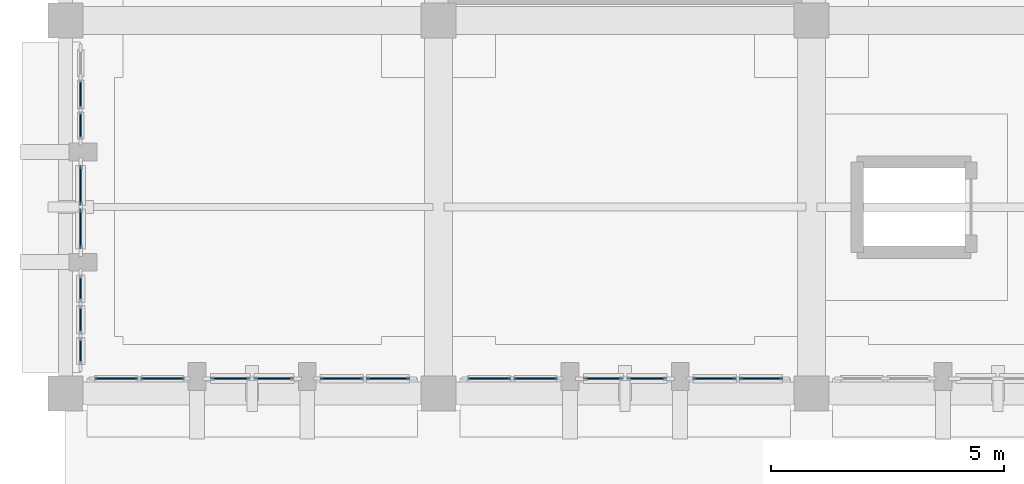
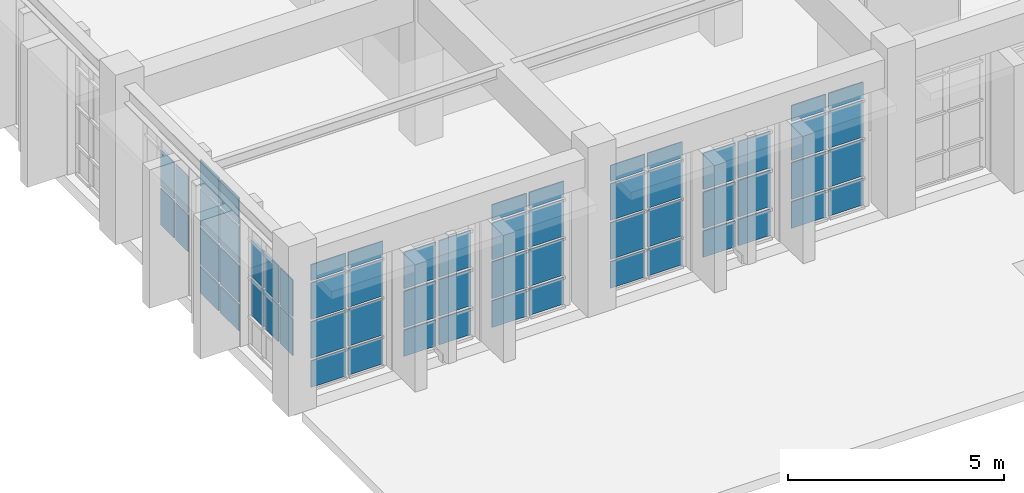
# One storey, part 84 of 155: 62 plates, 9 elements without a shape of their own.
"""IFC4 building model written with IfcOpenShell, lengths in metres."""

from ifc_helpers import new_model, si_unit, direction, frame, origin, origin_2d, place, context, subcontext, project, spatial, rectangle, extrude, material, layer, layer_set, type_object, element, aggregate, save


model = new_model("IFC4")

# Units and contexts
model_context = context("Model", 3, precision=1e-05, world=origin(), true_north=direction((0.0, 1.0)))
body_context = subcontext(model_context, "Body", "Model", "MODEL_VIEW")
ifc_project = project(units=[si_unit("LENGTHUNIT", "METRE"), si_unit("AREAUNIT", "SQUARE_METRE"), si_unit("VOLUMEUNIT", "CUBIC_METRE"), si_unit("PLANEANGLEUNIT", "RADIAN"), si_unit("MASSUNIT", "GRAM", prefix="KILO")], contexts=[model_context])

# Site, building, storey
site_placement = place(None, origin())
site = spatial("IfcSite", under=ifc_project, at=site_placement, CompositionType="ELEMENT")
building_placement = place(site_placement, origin())
building = spatial("IfcBuilding", under=site, at=building_placement, Name="Tazarka Park Arena", CompositionType="ELEMENT")
storey_placement = place(building_placement, frame((0.0, 0.0, 5.39990234375)))
storey = spatial("IfcBuildingStorey", under=building, at=storey_placement, Name="L01", CompositionType="ELEMENT", Elevation=5.39990234375)

# Curtain wall, plates
ifc_material_1 = material(Name="Aluminium and low-e glass", Category="aluminium")
ifc_layer_1 = layer(ifc_material_1, 0.179931640625, Name="Aluminium and low-e glass")
ifc_layer_set_1 = layer_set([ifc_layer_1], Name="Aluminium and low-e glass")
curtain_wall_type_1 = type_object("IfcCurtainWallType", Name="CW-09", PredefinedType="NOTDEFINED", material=ifc_layer_set_1)
curtain_wall_1_placement = place(storey_placement, origin())
curtain_wall_1 = element("IfcCurtainWall", 1, at=curtain_wall_1_placement, inside=storey, type_object=curtain_wall_type_1, Name="Curtain Wall CWA-L01-069", PredefinedType="NOTDEFINED")
ifc_material_2 = material(Name="Double low-e insulated glazing", Category="glass")
ifc_layer_2 = layer(ifc_material_2, 0.028076171875, Name="Double low-e insulated glazing")
ifc_layer_set_2 = layer_set([ifc_layer_2], Name="Double low-e insulated glazing")
plate_type_1 = type_object("IfcPlateType", Name="CWP-01", PredefinedType="CURTAIN_PANEL", material=ifc_layer_set_2)
plate_1_placement = place(storey_placement, frame((0.320068359375, 13.750244140625, 0.8828125), z_axis=(0.0, 0.0, 1.0), x_axis=(0.0, 1.0, 0.0)))
plate_1 = element("IfcPlate", 2, at=plate_1_placement, type_object=plate_type_1, Name="CW-09 panel 1.2", PredefinedType="CURTAIN_PANEL", context=body_context, shape_type="SweptSolid", body=[
    extrude(rectangle(XDim=0.5869140625, YDim=0.028076171875, at=origin_2d()), origin(), (0.0, 0.0, 1.0), 1.034912109375),
])
plate_2_placement = place(storey_placement, frame((0.320068359375, 13.750244140625, 1.982421875), z_axis=(0.0, 0.0, 1.0), x_axis=(0.0, 1.0, 0.0)))
plate_2 = element("IfcPlate", 3, at=plate_2_placement, type_object=plate_type_1, Name="CW-09 panel 1.3", PredefinedType="CURTAIN_PANEL", context=body_context, shape_type="SweptSolid", body=[
    extrude(rectangle(XDim=0.5869140625, YDim=0.028076171875, at=origin_2d()), origin(), (0.0, 0.0, 1.0), 1.034912109375),
])
plate_3_placement = place(storey_placement, frame((0.320068359375, 14.41845703125, 0.8828125), z_axis=(0.0, 0.0, 1.0), x_axis=(0.0, 1.0, 0.0)))
plate_3 = element("IfcPlate", 4, at=plate_3_placement, type_object=plate_type_1, Name="CW-09 panel 2.2", PredefinedType="CURTAIN_PANEL", context=body_context, shape_type="SweptSolid", body=[
    extrude(rectangle(XDim=0.619384765625, YDim=0.028076171875, at=origin_2d()), origin(), (0.0, 0.0, 1.0), 1.034912109375),
])
plate_4_placement = place(storey_placement, frame((0.320068359375, 14.41845703125, 1.982421875), z_axis=(0.0, 0.0, 1.0), x_axis=(0.0, 1.0, 0.0)))
plate_4 = element("IfcPlate", 5, at=plate_4_placement, type_object=plate_type_1, Name="CW-09 panel 2.3", PredefinedType="CURTAIN_PANEL", context=body_context, shape_type="SweptSolid", body=[
    extrude(rectangle(XDim=0.619384765625, YDim=0.028076171875, at=origin_2d()), origin(), (0.0, 0.0, 1.0), 1.034912109375),
])
aggregate(curtain_wall_1, [plate_1, plate_2, plate_3, plate_4])

ifc_material_3 = material(Name="Aluminium and low-e glass", Category="aluminium")
ifc_layer_3 = layer(ifc_material_3, 0.179931640625, Name="Aluminium and low-e glass")
ifc_layer_set_3 = layer_set([ifc_layer_3], Name="Aluminium and low-e glass")
curtain_wall_type_2 = type_object("IfcCurtainWallType", Name="CW-12", PredefinedType="NOTDEFINED", material=ifc_layer_set_3)
curtain_wall_2_placement = place(storey_placement, origin())
curtain_wall_2 = element("IfcCurtainWall", 6, at=curtain_wall_2_placement, inside=storey, type_object=curtain_wall_type_2, Name="Curtain Wall CWA-L01-072", PredefinedType="NOTDEFINED")
plate_5_placement = place(storey_placement, frame((2.07861328125, 8.320068359375, 0.065185546875), z_axis=(0.0, 0.0, 1.0), x_axis=(-1.0, 0.0, 0.0)))
plate_5 = element("IfcPlate", 7, at=plate_5_placement, type_object=plate_type_1, Name="CW-12 panel 1.1", PredefinedType="CURTAIN_PANEL", context=body_context, shape_type="SweptSolid", body=[
    extrude(rectangle(XDim=0.92919921875, YDim=0.028076171875, at=origin_2d()), origin(), (0.0, 0.0, 1.0), 0.75244140625),
])
plate_6_placement = place(storey_placement, frame((2.07861328125, 8.320068359375, 0.8828125), z_axis=(0.0, 0.0, 1.0), x_axis=(-1.0, 0.0, 0.0)))
plate_6 = element("IfcPlate", 8, at=plate_6_placement, type_object=plate_type_1, Name="CW-12 panel 1.2", PredefinedType="CURTAIN_PANEL", context=body_context, shape_type="SweptSolid", body=[
    extrude(rectangle(XDim=0.92919921875, YDim=0.028076171875, at=origin_2d()), origin(), (0.0, 0.0, 1.0), 1.034912109375),
])
plate_7_placement = place(storey_placement, frame((2.07861328125, 8.320068359375, 1.982421875), z_axis=(0.0, 0.0, 1.0), x_axis=(-1.0, 0.0, 0.0)))
plate_7 = element("IfcPlate", 9, at=plate_7_placement, type_object=plate_type_1, Name="CW-12 panel 1.3", PredefinedType="CURTAIN_PANEL", context=body_context, shape_type="SweptSolid", body=[
    extrude(rectangle(XDim=0.92919921875, YDim=0.028076171875, at=origin_2d()), origin(), (0.0, 0.0, 1.0), 1.034912109375),
])
plate_8_placement = place(storey_placement, frame((2.07861328125, 8.320068359375, 3.08251953125), z_axis=(0.0, 0.0, 1.0), x_axis=(-1.0, 0.0, 0.0)))
plate_8 = element("IfcPlate", 10, at=plate_8_placement, type_object=plate_type_1, Name="CW-12 panel 1.4", PredefinedType="CURTAIN_PANEL", context=body_context, shape_type="SweptSolid", body=[
    extrude(rectangle(XDim=0.92919921875, YDim=0.028076171875, at=origin_2d()), origin(), (0.0, 0.0, 1.0), 0.452392578125),
])
plate_9_placement = place(storey_placement, frame((1.08447265625, 8.320068359375, 0.065185546875), z_axis=(0.0, 0.0, 1.0), x_axis=(-1.0, 0.0, 0.0)))
plate_9 = element("IfcPlate", 11, at=plate_9_placement, type_object=plate_type_1, Name="CW-12 panel 2.1", PredefinedType="CURTAIN_PANEL", context=body_context, shape_type="SweptSolid", body=[
    extrude(rectangle(XDim=0.92919921875, YDim=0.028076171875, at=origin_2d()), origin(), (0.0, 0.0, 1.0), 0.75244140625),
])
plate_10_placement = place(storey_placement, frame((1.08447265625, 8.320068359375, 0.8828125), z_axis=(0.0, 0.0, 1.0), x_axis=(-1.0, 0.0, 0.0)))
plate_10 = element("IfcPlate", 12, at=plate_10_placement, type_object=plate_type_1, Name="CW-12 panel 2.2", PredefinedType="CURTAIN_PANEL", context=body_context, shape_type="SweptSolid", body=[
    extrude(rectangle(XDim=0.92919921875, YDim=0.028076171875, at=origin_2d()), origin(), (0.0, 0.0, 1.0), 1.034912109375),
])
plate_11_placement = place(storey_placement, frame((1.08447265625, 8.320068359375, 1.982421875), z_axis=(0.0, 0.0, 1.0), x_axis=(-1.0, 0.0, 0.0)))
plate_11 = element("IfcPlate", 13, at=plate_11_placement, type_object=plate_type_1, Name="CW-12 panel 2.3", PredefinedType="CURTAIN_PANEL", context=body_context, shape_type="SweptSolid", body=[
    extrude(rectangle(XDim=0.92919921875, YDim=0.028076171875, at=origin_2d()), origin(), (0.0, 0.0, 1.0), 1.034912109375),
])
plate_12_placement = place(storey_placement, frame((1.08447265625, 8.320068359375, 3.08251953125), z_axis=(0.0, 0.0, 1.0), x_axis=(-1.0, 0.0, 0.0)))
plate_12 = element("IfcPlate", 14, at=plate_12_placement, type_object=plate_type_1, Name="CW-12 panel 2.4", PredefinedType="CURTAIN_PANEL", context=body_context, shape_type="SweptSolid", body=[
    extrude(rectangle(XDim=0.92919921875, YDim=0.028076171875, at=origin_2d()), origin(), (0.0, 0.0, 1.0), 0.452392578125),
])
aggregate(curtain_wall_2, [plate_5, plate_6, plate_7, plate_8, plate_9, plate_10, plate_11, plate_12])

ifc_material_4 = material(Name="Aluminium and low-e glass", Category="aluminium")
ifc_layer_4 = layer(ifc_material_4, 0.179931640625, Name="Aluminium and low-e glass")
ifc_layer_set_4 = layer_set([ifc_layer_4], Name="Aluminium and low-e glass")
curtain_wall_type_3 = type_object("IfcCurtainWallType", Name="CW-15", PredefinedType="NOTDEFINED", material=ifc_layer_set_4)
curtain_wall_3_placement = place(storey_placement, origin())
curtain_wall_3 = element("IfcCurtainWall", 15, at=curtain_wall_3_placement, inside=storey, type_object=curtain_wall_type_3, Name="Curtain Wall CWA-L01-075", PredefinedType="NOTDEFINED")
plate_13_placement = place(storey_placement, frame((10.07861328125, 8.320068359375, 0.065185546875), z_axis=(0.0, 0.0, 1.0), x_axis=(-1.0, 0.0, 0.0)))
plate_13 = element("IfcPlate", 16, at=plate_13_placement, type_object=plate_type_1, Name="CW-15 panel 1.1", PredefinedType="CURTAIN_PANEL", context=body_context, shape_type="SweptSolid", body=[
    extrude(rectangle(XDim=0.92919921875, YDim=0.028076171875, at=origin_2d()), origin(), (0.0, 0.0, 1.0), 0.75244140625),
])
plate_14_placement = place(storey_placement, frame((10.07861328125, 8.320068359375, 0.8828125), z_axis=(0.0, 0.0, 1.0), x_axis=(-1.0, 0.0, 0.0)))
plate_14 = element("IfcPlate", 17, at=plate_14_placement, type_object=plate_type_1, Name="CW-15 panel 1.2", PredefinedType="CURTAIN_PANEL", context=body_context, shape_type="SweptSolid", body=[
    extrude(rectangle(XDim=0.92919921875, YDim=0.028076171875, at=origin_2d()), origin(), (0.0, 0.0, 1.0), 1.034912109375),
])
plate_15_placement = place(storey_placement, frame((10.07861328125, 8.320068359375, 1.982421875), z_axis=(0.0, 0.0, 1.0), x_axis=(-1.0, 0.0, 0.0)))
plate_15 = element("IfcPlate", 18, at=plate_15_placement, type_object=plate_type_1, Name="CW-15 panel 1.3", PredefinedType="CURTAIN_PANEL", context=body_context, shape_type="SweptSolid", body=[
    extrude(rectangle(XDim=0.92919921875, YDim=0.028076171875, at=origin_2d()), origin(), (0.0, 0.0, 1.0), 1.034912109375),
])
plate_16_placement = place(storey_placement, frame((10.07861328125, 8.320068359375, 3.08251953125), z_axis=(0.0, 0.0, 1.0), x_axis=(-1.0, 0.0, 0.0)))
plate_16 = element("IfcPlate", 19, at=plate_16_placement, type_object=plate_type_1, Name="CW-15 panel 1.4", PredefinedType="CURTAIN_PANEL", context=body_context, shape_type="SweptSolid", body=[
    extrude(rectangle(XDim=0.92919921875, YDim=0.028076171875, at=origin_2d()), origin(), (0.0, 0.0, 1.0), 0.452392578125),
])
plate_17_placement = place(storey_placement, frame((9.08447265625, 8.320068359375, 0.065185546875), z_axis=(0.0, 0.0, 1.0), x_axis=(-1.0, 0.0, 0.0)))
plate_17 = element("IfcPlate", 20, at=plate_17_placement, type_object=plate_type_1, Name="CW-15 panel 2.1", PredefinedType="CURTAIN_PANEL", context=body_context, shape_type="SweptSolid", body=[
    extrude(rectangle(XDim=0.92919921875, YDim=0.028076171875, at=origin_2d()), origin(), (0.0, 0.0, 1.0), 0.75244140625),
])
plate_18_placement = place(storey_placement, frame((9.08447265625, 8.320068359375, 0.8828125), z_axis=(0.0, 0.0, 1.0), x_axis=(-1.0, 0.0, 0.0)))
plate_18 = element("IfcPlate", 21, at=plate_18_placement, type_object=plate_type_1, Name="CW-15 panel 2.2", PredefinedType="CURTAIN_PANEL", context=body_context, shape_type="SweptSolid", body=[
    extrude(rectangle(XDim=0.92919921875, YDim=0.028076171875, at=origin_2d()), origin(), (0.0, 0.0, 1.0), 1.034912109375),
])
plate_19_placement = place(storey_placement, frame((9.08447265625, 8.320068359375, 1.982421875), z_axis=(0.0, 0.0, 1.0), x_axis=(-1.0, 0.0, 0.0)))
plate_19 = element("IfcPlate", 22, at=plate_19_placement, type_object=plate_type_1, Name="CW-15 panel 2.3", PredefinedType="CURTAIN_PANEL", context=body_context, shape_type="SweptSolid", body=[
    extrude(rectangle(XDim=0.92919921875, YDim=0.028076171875, at=origin_2d()), origin(), (0.0, 0.0, 1.0), 1.034912109375),
])
plate_20_placement = place(storey_placement, frame((9.08447265625, 8.320068359375, 3.08251953125), z_axis=(0.0, 0.0, 1.0), x_axis=(-1.0, 0.0, 0.0)))
plate_20 = element("IfcPlate", 23, at=plate_20_placement, type_object=plate_type_1, Name="CW-15 panel 2.4", PredefinedType="CURTAIN_PANEL", context=body_context, shape_type="SweptSolid", body=[
    extrude(rectangle(XDim=0.92919921875, YDim=0.028076171875, at=origin_2d()), origin(), (0.0, 0.0, 1.0), 0.452392578125),
])
aggregate(curtain_wall_3, [plate_13, plate_14, plate_15, plate_16, plate_17, plate_18, plate_19, plate_20])

ifc_material_5 = material(Name="Aluminium and low-e glass", Category="aluminium")
ifc_layer_5 = layer(ifc_material_5, 0.179931640625, Name="Aluminium and low-e glass")
ifc_layer_set_5 = layer_set([ifc_layer_5], Name="Aluminium and low-e glass")
curtain_wall_type_4 = type_object("IfcCurtainWallType", Name="CW-07", PredefinedType="NOTDEFINED", material=ifc_layer_set_5)
curtain_wall_4_placement = place(storey_placement, origin())
curtain_wall_4 = element("IfcCurtainWall", 24, at=curtain_wall_4_placement, inside=storey, type_object=curtain_wall_type_4, Name="Curtain Wall CWA-L01-067", PredefinedType="NOTDEFINED")
ifc_material_6 = material(Name="Triple acoustic solar glazing", Category="glass")
ifc_layer_6 = layer(ifc_material_6, 0.031982421875, Name="Triple acoustic solar glazing")
ifc_layer_set_6 = layer_set([ifc_layer_6], Name="Triple acoustic solar glazing")
plate_type_2 = type_object("IfcPlateType", Name="CWP-02", PredefinedType="CURTAIN_PANEL", material=ifc_layer_set_6)
plate_21_placement = place(storey_placement, frame((0.320068359375, 8.91357421875, 0.8828125), z_axis=(0.0, 0.0, 1.0), x_axis=(0.0, 1.0, 0.0)))
plate_21 = element("IfcPlate", 25, at=plate_21_placement, type_object=plate_type_2, Name="CW-07 panel 1.2", PredefinedType="CURTAIN_PANEL", context=body_context, shape_type="SweptSolid", body=[
    extrude(rectangle(XDim=0.5869140625, YDim=0.031982421875, at=origin_2d()), origin(), (0.0, 0.0, 1.0), 1.034912109375),
])
plate_22_placement = place(storey_placement, frame((0.320068359375, 8.91357421875, 1.982421875), z_axis=(0.0, 0.0, 1.0), x_axis=(0.0, 1.0, 0.0)))
plate_22 = element("IfcPlate", 26, at=plate_22_placement, type_object=plate_type_2, Name="CW-07 panel 1.3", PredefinedType="CURTAIN_PANEL", context=body_context, shape_type="SweptSolid", body=[
    extrude(rectangle(XDim=0.5869140625, YDim=0.031982421875, at=origin_2d()), origin(), (0.0, 0.0, 1.0), 1.034912109375),
])
plate_23_placement = place(storey_placement, frame((0.320068359375, 9.58154296875, 0.8828125), z_axis=(0.0, 0.0, 1.0), x_axis=(0.0, 1.0, 0.0)))
plate_23 = element("IfcPlate", 27, at=plate_23_placement, type_object=plate_type_2, Name="CW-07 panel 2.2", PredefinedType="CURTAIN_PANEL", context=body_context, shape_type="SweptSolid", body=[
    extrude(rectangle(XDim=0.619384765625, YDim=0.031982421875, at=origin_2d()), origin(), (0.0, 0.0, 1.0), 1.034912109375),
])
plate_24_placement = place(storey_placement, frame((0.320068359375, 9.58154296875, 1.982421875), z_axis=(0.0, 0.0, 1.0), x_axis=(0.0, 1.0, 0.0)))
plate_24 = element("IfcPlate", 28, at=plate_24_placement, type_object=plate_type_2, Name="CW-07 panel 2.3", PredefinedType="CURTAIN_PANEL", context=body_context, shape_type="SweptSolid", body=[
    extrude(rectangle(XDim=0.619384765625, YDim=0.031982421875, at=origin_2d()), origin(), (0.0, 0.0, 1.0), 1.034912109375),
])
plate_25_placement = place(storey_placement, frame((0.320068359375, 10.249755859375, 0.8828125), z_axis=(0.0, 0.0, 1.0), x_axis=(0.0, 1.0, 0.0)))
plate_25 = element("IfcPlate", 29, at=plate_25_placement, type_object=plate_type_2, Name="CW-07 panel 3.2", PredefinedType="CURTAIN_PANEL", context=body_context, shape_type="SweptSolid", body=[
    extrude(rectangle(XDim=0.5869140625, YDim=0.031982421875, at=origin_2d()), origin(), (0.0, 0.0, 1.0), 1.034912109375),
])
plate_26_placement = place(storey_placement, frame((0.320068359375, 10.249755859375, 1.982421875), z_axis=(0.0, 0.0, 1.0), x_axis=(0.0, 1.0, 0.0)))
plate_26 = element("IfcPlate", 30, at=plate_26_placement, type_object=plate_type_2, Name="CW-07 panel 3.3", PredefinedType="CURTAIN_PANEL", context=body_context, shape_type="SweptSolid", body=[
    extrude(rectangle(XDim=0.5869140625, YDim=0.031982421875, at=origin_2d()), origin(), (0.0, 0.0, 1.0), 1.034912109375),
])
aggregate(curtain_wall_4, [plate_21, plate_22, plate_23, plate_24, plate_25, plate_26])

ifc_material_7 = material(Name="Aluminium and low-e glass", Category="aluminium")
ifc_layer_7 = layer(ifc_material_7, 0.179931640625, Name="Aluminium and low-e glass")
ifc_layer_set_7 = layer_set([ifc_layer_7], Name="Aluminium and low-e glass")
curtain_wall_type_5 = type_object("IfcCurtainWallType", Name="CW-10", PredefinedType="NOTDEFINED", material=ifc_layer_set_7)
curtain_wall_5_placement = place(storey_placement, origin())
curtain_wall_5 = element("IfcCurtainWall", 31, at=curtain_wall_5_placement, inside=storey, type_object=curtain_wall_type_5, Name="Curtain Wall CWA-L01-070", PredefinedType="NOTDEFINED")
plate_27_placement = place(storey_placement, frame((6.91552734375, 8.320068359375, 0.065185546875), z_axis=(0.0, 0.0, 1.0), x_axis=(-1.0, 0.0, 0.0)))
plate_27 = element("IfcPlate", 32, at=plate_27_placement, type_object=plate_type_2, Name="CW-10 panel 1.1", PredefinedType="CURTAIN_PANEL", context=body_context, shape_type="SweptSolid", body=[
    extrude(rectangle(XDim=0.92919921875, YDim=0.031982421875, at=origin_2d()), origin(), (0.0, 0.0, 1.0), 0.75244140625),
])
plate_28_placement = place(storey_placement, frame((6.91552734375, 8.320068359375, 0.8828125), z_axis=(0.0, 0.0, 1.0), x_axis=(-1.0, 0.0, 0.0)))
plate_28 = element("IfcPlate", 33, at=plate_28_placement, type_object=plate_type_2, Name="CW-10 panel 1.2", PredefinedType="CURTAIN_PANEL", context=body_context, shape_type="SweptSolid", body=[
    extrude(rectangle(XDim=0.92919921875, YDim=0.031982421875, at=origin_2d()), origin(), (0.0, 0.0, 1.0), 1.034912109375),
])
plate_29_placement = place(storey_placement, frame((6.91552734375, 8.320068359375, 1.982421875), z_axis=(0.0, 0.0, 1.0), x_axis=(-1.0, 0.0, 0.0)))
plate_29 = element("IfcPlate", 34, at=plate_29_placement, type_object=plate_type_2, Name="CW-10 panel 1.3", PredefinedType="CURTAIN_PANEL", context=body_context, shape_type="SweptSolid", body=[
    extrude(rectangle(XDim=0.92919921875, YDim=0.031982421875, at=origin_2d()), origin(), (0.0, 0.0, 1.0), 1.034912109375),
])
plate_30_placement = place(storey_placement, frame((6.91552734375, 8.320068359375, 3.08251953125), z_axis=(0.0, 0.0, 1.0), x_axis=(-1.0, 0.0, 0.0)))
plate_30 = element("IfcPlate", 35, at=plate_30_placement, type_object=plate_type_2, Name="CW-10 panel 1.4", PredefinedType="CURTAIN_PANEL", context=body_context, shape_type="SweptSolid", body=[
    extrude(rectangle(XDim=0.92919921875, YDim=0.031982421875, at=origin_2d()), origin(), (0.0, 0.0, 1.0), 0.452392578125),
])
plate_31_placement = place(storey_placement, frame((5.92138671875, 8.320068359375, 0.065185546875), z_axis=(0.0, 0.0, 1.0), x_axis=(-1.0, 0.0, 0.0)))
plate_31 = element("IfcPlate", 36, at=plate_31_placement, type_object=plate_type_2, Name="CW-10 panel 2.1", PredefinedType="CURTAIN_PANEL", context=body_context, shape_type="SweptSolid", body=[
    extrude(rectangle(XDim=0.92919921875, YDim=0.031982421875, at=origin_2d()), origin(), (0.0, 0.0, 1.0), 0.75244140625),
])
plate_32_placement = place(storey_placement, frame((5.92138671875, 8.320068359375, 0.8828125), z_axis=(0.0, 0.0, 1.0), x_axis=(-1.0, 0.0, 0.0)))
plate_32 = element("IfcPlate", 37, at=plate_32_placement, type_object=plate_type_2, Name="CW-10 panel 2.2", PredefinedType="CURTAIN_PANEL", context=body_context, shape_type="SweptSolid", body=[
    extrude(rectangle(XDim=0.92919921875, YDim=0.031982421875, at=origin_2d()), origin(), (0.0, 0.0, 1.0), 1.034912109375),
])
plate_33_placement = place(storey_placement, frame((5.92138671875, 8.320068359375, 1.982421875), z_axis=(0.0, 0.0, 1.0), x_axis=(-1.0, 0.0, 0.0)))
plate_33 = element("IfcPlate", 38, at=plate_33_placement, type_object=plate_type_2, Name="CW-10 panel 2.3", PredefinedType="CURTAIN_PANEL", context=body_context, shape_type="SweptSolid", body=[
    extrude(rectangle(XDim=0.92919921875, YDim=0.031982421875, at=origin_2d()), origin(), (0.0, 0.0, 1.0), 1.034912109375),
])
plate_34_placement = place(storey_placement, frame((5.92138671875, 8.320068359375, 3.08251953125), z_axis=(0.0, 0.0, 1.0), x_axis=(-1.0, 0.0, 0.0)))
plate_34 = element("IfcPlate", 39, at=plate_34_placement, type_object=plate_type_2, Name="CW-10 panel 2.4", PredefinedType="CURTAIN_PANEL", context=body_context, shape_type="SweptSolid", body=[
    extrude(rectangle(XDim=0.92919921875, YDim=0.031982421875, at=origin_2d()), origin(), (0.0, 0.0, 1.0), 0.452392578125),
])
aggregate(curtain_wall_5, [plate_27, plate_28, plate_29, plate_30, plate_31, plate_32, plate_33, plate_34])

ifc_material_8 = material(Name="Aluminium and low-e glass", Category="aluminium")
ifc_layer_8 = layer(ifc_material_8, 0.179931640625, Name="Aluminium and low-e glass")
ifc_layer_set_8 = layer_set([ifc_layer_8], Name="Aluminium and low-e glass")
curtain_wall_type_6 = type_object("IfcCurtainWallType", Name="CW-13", PredefinedType="NOTDEFINED", material=ifc_layer_set_8)
curtain_wall_6_placement = place(storey_placement, origin())
curtain_wall_6 = element("IfcCurtainWall", 40, at=curtain_wall_6_placement, inside=storey, type_object=curtain_wall_type_6, Name="Curtain Wall CWA-L01-073", PredefinedType="NOTDEFINED")
plate_35_placement = place(storey_placement, frame((14.91552734375, 8.320068359375, 0.065185546875), z_axis=(0.0, 0.0, 1.0), x_axis=(-1.0, 0.0, 0.0)))
plate_35 = element("IfcPlate", 41, at=plate_35_placement, type_object=plate_type_2, Name="CW-13 panel 1.1", PredefinedType="CURTAIN_PANEL", context=body_context, shape_type="SweptSolid", body=[
    extrude(rectangle(XDim=0.92919921875, YDim=0.031982421875, at=origin_2d()), origin(), (0.0, 0.0, 1.0), 0.75244140625),
])
plate_36_placement = place(storey_placement, frame((14.91552734375, 8.320068359375, 0.8828125), z_axis=(0.0, 0.0, 1.0), x_axis=(-1.0, 0.0, 0.0)))
plate_36 = element("IfcPlate", 42, at=plate_36_placement, type_object=plate_type_2, Name="CW-13 panel 1.2", PredefinedType="CURTAIN_PANEL", context=body_context, shape_type="SweptSolid", body=[
    extrude(rectangle(XDim=0.92919921875, YDim=0.031982421875, at=origin_2d()), origin(), (0.0, 0.0, 1.0), 1.034912109375),
])
plate_37_placement = place(storey_placement, frame((14.91552734375, 8.320068359375, 1.982421875), z_axis=(0.0, 0.0, 1.0), x_axis=(-1.0, 0.0, 0.0)))
plate_37 = element("IfcPlate", 43, at=plate_37_placement, type_object=plate_type_2, Name="CW-13 panel 1.3", PredefinedType="CURTAIN_PANEL", context=body_context, shape_type="SweptSolid", body=[
    extrude(rectangle(XDim=0.92919921875, YDim=0.031982421875, at=origin_2d()), origin(), (0.0, 0.0, 1.0), 1.034912109375),
])
plate_38_placement = place(storey_placement, frame((14.91552734375, 8.320068359375, 3.08251953125), z_axis=(0.0, 0.0, 1.0), x_axis=(-1.0, 0.0, 0.0)))
plate_38 = element("IfcPlate", 44, at=plate_38_placement, type_object=plate_type_2, Name="CW-13 panel 1.4", PredefinedType="CURTAIN_PANEL", context=body_context, shape_type="SweptSolid", body=[
    extrude(rectangle(XDim=0.92919921875, YDim=0.031982421875, at=origin_2d()), origin(), (0.0, 0.0, 1.0), 0.452392578125),
])
plate_39_placement = place(storey_placement, frame((13.92138671875, 8.320068359375, 0.065185546875), z_axis=(0.0, 0.0, 1.0), x_axis=(-1.0, 0.0, 0.0)))
plate_39 = element("IfcPlate", 45, at=plate_39_placement, type_object=plate_type_2, Name="CW-13 panel 2.1", PredefinedType="CURTAIN_PANEL", context=body_context, shape_type="SweptSolid", body=[
    extrude(rectangle(XDim=0.92919921875, YDim=0.031982421875, at=origin_2d()), origin(), (0.0, 0.0, 1.0), 0.75244140625),
])
plate_40_placement = place(storey_placement, frame((13.92138671875, 8.320068359375, 0.8828125), z_axis=(0.0, 0.0, 1.0), x_axis=(-1.0, 0.0, 0.0)))
plate_40 = element("IfcPlate", 46, at=plate_40_placement, type_object=plate_type_2, Name="CW-13 panel 2.2", PredefinedType="CURTAIN_PANEL", context=body_context, shape_type="SweptSolid", body=[
    extrude(rectangle(XDim=0.92919921875, YDim=0.031982421875, at=origin_2d()), origin(), (0.0, 0.0, 1.0), 1.034912109375),
])
plate_41_placement = place(storey_placement, frame((13.92138671875, 8.320068359375, 1.982421875), z_axis=(0.0, 0.0, 1.0), x_axis=(-1.0, 0.0, 0.0)))
plate_41 = element("IfcPlate", 47, at=plate_41_placement, type_object=plate_type_2, Name="CW-13 panel 2.3", PredefinedType="CURTAIN_PANEL", context=body_context, shape_type="SweptSolid", body=[
    extrude(rectangle(XDim=0.92919921875, YDim=0.031982421875, at=origin_2d()), origin(), (0.0, 0.0, 1.0), 1.034912109375),
])
plate_42_placement = place(storey_placement, frame((13.92138671875, 8.320068359375, 3.08251953125), z_axis=(0.0, 0.0, 1.0), x_axis=(-1.0, 0.0, 0.0)))
plate_42 = element("IfcPlate", 48, at=plate_42_placement, type_object=plate_type_2, Name="CW-13 panel 2.4", PredefinedType="CURTAIN_PANEL", context=body_context, shape_type="SweptSolid", body=[
    extrude(rectangle(XDim=0.92919921875, YDim=0.031982421875, at=origin_2d()), origin(), (0.0, 0.0, 1.0), 0.452392578125),
])
aggregate(curtain_wall_6, [plate_35, plate_36, plate_37, plate_38, plate_39, plate_40, plate_41, plate_42])

ifc_material_9 = material(Name="Aluminium and low-e glass", Category="aluminium")
ifc_layer_9 = layer(ifc_material_9, 0.179931640625, Name="Aluminium and low-e glass")
ifc_layer_set_9 = layer_set([ifc_layer_9], Name="Aluminium and low-e glass")
curtain_wall_type_7 = type_object("IfcCurtainWallType", Name="CW-08", PredefinedType="NOTDEFINED", material=ifc_layer_set_9)
curtain_wall_7_placement = place(storey_placement, origin())
curtain_wall_7 = element("IfcCurtainWall", 49, at=curtain_wall_7_placement, inside=storey, type_object=curtain_wall_type_7, Name="Curtain Wall CWA-L01-068", PredefinedType="NOTDEFINED")
ifc_material_10 = material(Name="Insulated aluminium spandrel panel", Category="aluminium")
ifc_layer_10 = layer(ifc_material_10, 0.035888671875, Name="Insulated aluminium spandrel panel")
ifc_layer_set_10 = layer_set([ifc_layer_10], Name="Insulated aluminium spandrel panel")
plate_type_3 = type_object("IfcPlateType", Name="CWP-03", PredefinedType="CURTAIN_PANEL", material=ifc_layer_set_10)
plate_43_placement = place(storey_placement, frame((0.320068359375, 11.532958984375, 0.0751953125), z_axis=(0.0, 0.0, 1.0), x_axis=(0.0, 1.0, 0.0)))
plate_43 = element("IfcPlate", 50, at=plate_43_placement, type_object=plate_type_3, Name="CW-08 panel 1.1", PredefinedType="CURTAIN_PANEL", context=body_context, shape_type="SweptSolid", body=[
    extrude(rectangle(XDim=0.859130859375, YDim=0.035888671875, at=origin_2d()), origin(), (0.0, 0.0, 1.0), 0.737548828125),
])
plate_44_placement = place(storey_placement, frame((0.320068359375, 11.532958984375, 0.8876953125), z_axis=(0.0, 0.0, 1.0), x_axis=(0.0, 1.0, 0.0)))
plate_44 = element("IfcPlate", 51, at=plate_44_placement, type_object=plate_type_3, Name="CW-08 panel 1.2", PredefinedType="CURTAIN_PANEL", context=body_context, shape_type="SweptSolid", body=[
    extrude(rectangle(XDim=0.859130859375, YDim=0.035888671875, at=origin_2d()), origin(), (0.0, 0.0, 1.0), 1.02490234375),
])
plate_45_placement = place(storey_placement, frame((0.320068359375, 11.532958984375, 1.987548828125), z_axis=(0.0, 0.0, 1.0), x_axis=(0.0, 1.0, 0.0)))
plate_45 = element("IfcPlate", 52, at=plate_45_placement, type_object=plate_type_3, Name="CW-08 panel 1.3", PredefinedType="CURTAIN_PANEL", context=body_context, shape_type="SweptSolid", body=[
    extrude(rectangle(XDim=0.859130859375, YDim=0.035888671875, at=origin_2d()), origin(), (0.0, 0.0, 1.0), 1.02490234375),
])
plate_46_placement = place(storey_placement, frame((0.320068359375, 11.532958984375, 3.087646484375), z_axis=(0.0, 0.0, 1.0), x_axis=(0.0, 1.0, 0.0)))
plate_46 = element("IfcPlate", 53, at=plate_46_placement, type_object=plate_type_3, Name="CW-08 panel 1.4", PredefinedType="CURTAIN_PANEL", context=body_context, shape_type="SweptSolid", body=[
    extrude(rectangle(XDim=0.859130859375, YDim=0.035888671875, at=origin_2d()), origin(), (0.0, 0.0, 1.0), 0.74755859375),
])
plate_47_placement = place(storey_placement, frame((0.320068359375, 12.467041015625, 0.0751953125), z_axis=(0.0, 0.0, 1.0), x_axis=(0.0, 1.0, 0.0)))
plate_47 = element("IfcPlate", 54, at=plate_47_placement, type_object=plate_type_3, Name="CW-08 panel 2.1", PredefinedType="CURTAIN_PANEL", context=body_context, shape_type="SweptSolid", body=[
    extrude(rectangle(XDim=0.859130859375, YDim=0.035888671875, at=origin_2d()), origin(), (0.0, 0.0, 1.0), 0.737548828125),
])
plate_48_placement = place(storey_placement, frame((0.320068359375, 12.467041015625, 0.8876953125), z_axis=(0.0, 0.0, 1.0), x_axis=(0.0, 1.0, 0.0)))
plate_48 = element("IfcPlate", 55, at=plate_48_placement, type_object=plate_type_3, Name="CW-08 panel 2.2", PredefinedType="CURTAIN_PANEL", context=body_context, shape_type="SweptSolid", body=[
    extrude(rectangle(XDim=0.859130859375, YDim=0.035888671875, at=origin_2d()), origin(), (0.0, 0.0, 1.0), 1.02490234375),
])
plate_49_placement = place(storey_placement, frame((0.320068359375, 12.467041015625, 1.987548828125), z_axis=(0.0, 0.0, 1.0), x_axis=(0.0, 1.0, 0.0)))
plate_49 = element("IfcPlate", 56, at=plate_49_placement, type_object=plate_type_3, Name="CW-08 panel 2.3", PredefinedType="CURTAIN_PANEL", context=body_context, shape_type="SweptSolid", body=[
    extrude(rectangle(XDim=0.859130859375, YDim=0.035888671875, at=origin_2d()), origin(), (0.0, 0.0, 1.0), 1.02490234375),
])
plate_50_placement = place(storey_placement, frame((0.320068359375, 12.467041015625, 3.087646484375), z_axis=(0.0, 0.0, 1.0), x_axis=(0.0, 1.0, 0.0)))
plate_50 = element("IfcPlate", 57, at=plate_50_placement, type_object=plate_type_3, Name="CW-08 panel 2.4", PredefinedType="CURTAIN_PANEL", context=body_context, shape_type="SweptSolid", body=[
    extrude(rectangle(XDim=0.859130859375, YDim=0.035888671875, at=origin_2d()), origin(), (0.0, 0.0, 1.0), 0.74755859375),
])
aggregate(curtain_wall_7, [plate_43, plate_44, plate_45, plate_46, plate_47, plate_48, plate_49, plate_50])

ifc_material_11 = material(Name="Aluminium and low-e glass", Category="aluminium")
ifc_layer_11 = layer(ifc_material_11, 0.179931640625, Name="Aluminium and low-e glass")
ifc_layer_set_11 = layer_set([ifc_layer_11], Name="Aluminium and low-e glass")
curtain_wall_type_8 = type_object("IfcCurtainWallType", Name="CW-11", PredefinedType="NOTDEFINED", material=ifc_layer_set_11)
curtain_wall_8_placement = place(storey_placement, origin())
curtain_wall_8 = element("IfcCurtainWall", 58, at=curtain_wall_8_placement, inside=storey, type_object=curtain_wall_type_8, Name="Curtain Wall CWA-L01-071", PredefinedType="NOTDEFINED")
plate_51_placement = place(storey_placement, frame((4.467041015625, 8.320068359375, 0.0751953125), z_axis=(0.0, 0.0, 1.0), x_axis=(-1.0, 0.0, 0.0)))
plate_51 = element("IfcPlate", 59, at=plate_51_placement, type_object=plate_type_3, Name="CW-11 panel 1.1", PredefinedType="CURTAIN_PANEL", context=body_context, shape_type="SweptSolid", body=[
    extrude(rectangle(XDim=0.859130859375, YDim=0.035888671875, at=origin_2d()), origin(), (0.0, 0.0, 1.0), 0.737548828125),
])
plate_52_placement = place(storey_placement, frame((4.467041015625, 8.320068359375, 0.8876953125), z_axis=(0.0, 0.0, 1.0), x_axis=(-1.0, 0.0, 0.0)))
plate_52 = element("IfcPlate", 60, at=plate_52_placement, type_object=plate_type_3, Name="CW-11 panel 1.2", PredefinedType="CURTAIN_PANEL", context=body_context, shape_type="SweptSolid", body=[
    extrude(rectangle(XDim=0.859130859375, YDim=0.035888671875, at=origin_2d()), origin(), (0.0, 0.0, 1.0), 1.02490234375),
])
plate_53_placement = place(storey_placement, frame((4.467041015625, 8.320068359375, 1.987548828125), z_axis=(0.0, 0.0, 1.0), x_axis=(-1.0, 0.0, 0.0)))
plate_53 = element("IfcPlate", 61, at=plate_53_placement, type_object=plate_type_3, Name="CW-11 panel 1.3", PredefinedType="CURTAIN_PANEL", context=body_context, shape_type="SweptSolid", body=[
    extrude(rectangle(XDim=0.859130859375, YDim=0.035888671875, at=origin_2d()), origin(), (0.0, 0.0, 1.0), 1.02490234375),
])
plate_54_placement = place(storey_placement, frame((3.532958984375, 8.320068359375, 0.0751953125), z_axis=(0.0, 0.0, 1.0), x_axis=(-1.0, 0.0, 0.0)))
plate_54 = element("IfcPlate", 62, at=plate_54_placement, type_object=plate_type_3, Name="CW-11 panel 2.1", PredefinedType="CURTAIN_PANEL", context=body_context, shape_type="SweptSolid", body=[
    extrude(rectangle(XDim=0.859130859375, YDim=0.035888671875, at=origin_2d()), origin(), (0.0, 0.0, 1.0), 0.737548828125),
])
plate_55_placement = place(storey_placement, frame((3.532958984375, 8.320068359375, 0.8876953125), z_axis=(0.0, 0.0, 1.0), x_axis=(-1.0, 0.0, 0.0)))
plate_55 = element("IfcPlate", 63, at=plate_55_placement, type_object=plate_type_3, Name="CW-11 panel 2.2", PredefinedType="CURTAIN_PANEL", context=body_context, shape_type="SweptSolid", body=[
    extrude(rectangle(XDim=0.859130859375, YDim=0.035888671875, at=origin_2d()), origin(), (0.0, 0.0, 1.0), 1.02490234375),
])
plate_56_placement = place(storey_placement, frame((3.532958984375, 8.320068359375, 1.987548828125), z_axis=(0.0, 0.0, 1.0), x_axis=(-1.0, 0.0, 0.0)))
plate_56 = element("IfcPlate", 64, at=plate_56_placement, type_object=plate_type_3, Name="CW-11 panel 2.3", PredefinedType="CURTAIN_PANEL", context=body_context, shape_type="SweptSolid", body=[
    extrude(rectangle(XDim=0.859130859375, YDim=0.035888671875, at=origin_2d()), origin(), (0.0, 0.0, 1.0), 1.02490234375),
])
aggregate(curtain_wall_8, [plate_51, plate_52, plate_53, plate_54, plate_55, plate_56])

ifc_material_12 = material(Name="Aluminium and low-e glass", Category="aluminium")
ifc_layer_12 = layer(ifc_material_12, 0.179931640625, Name="Aluminium and low-e glass")
ifc_layer_set_12 = layer_set([ifc_layer_12], Name="Aluminium and low-e glass")
curtain_wall_type_9 = type_object("IfcCurtainWallType", Name="CW-14", PredefinedType="NOTDEFINED", material=ifc_layer_set_12)
curtain_wall_9_placement = place(storey_placement, origin())
curtain_wall_9 = element("IfcCurtainWall", 65, at=curtain_wall_9_placement, inside=storey, type_object=curtain_wall_type_9, Name="Curtain Wall CWA-L01-074", PredefinedType="NOTDEFINED")
plate_57_placement = place(storey_placement, frame((12.467041015625, 8.320068359375, 0.0751953125), z_axis=(0.0, 0.0, 1.0), x_axis=(-1.0, 0.0, 0.0)))
plate_57 = element("IfcPlate", 66, at=plate_57_placement, type_object=plate_type_3, Name="CW-14 panel 1.1", PredefinedType="CURTAIN_PANEL", context=body_context, shape_type="SweptSolid", body=[
    extrude(rectangle(XDim=0.859130859375, YDim=0.035888671875, at=origin_2d()), origin(), (0.0, 0.0, 1.0), 0.737548828125),
])
plate_58_placement = place(storey_placement, frame((12.467041015625, 8.320068359375, 0.8876953125), z_axis=(0.0, 0.0, 1.0), x_axis=(-1.0, 0.0, 0.0)))
plate_58 = element("IfcPlate", 67, at=plate_58_placement, type_object=plate_type_3, Name="CW-14 panel 1.2", PredefinedType="CURTAIN_PANEL", context=body_context, shape_type="SweptSolid", body=[
    extrude(rectangle(XDim=0.859130859375, YDim=0.035888671875, at=origin_2d()), origin(), (0.0, 0.0, 1.0), 1.02490234375),
])
plate_59_placement = place(storey_placement, frame((12.467041015625, 8.320068359375, 1.987548828125), z_axis=(0.0, 0.0, 1.0), x_axis=(-1.0, 0.0, 0.0)))
plate_59 = element("IfcPlate", 68, at=plate_59_placement, type_object=plate_type_3, Name="CW-14 panel 1.3", PredefinedType="CURTAIN_PANEL", context=body_context, shape_type="SweptSolid", body=[
    extrude(rectangle(XDim=0.859130859375, YDim=0.035888671875, at=origin_2d()), origin(), (0.0, 0.0, 1.0), 1.02490234375),
])
plate_60_placement = place(storey_placement, frame((11.532958984375, 8.320068359375, 0.0751953125), z_axis=(0.0, 0.0, 1.0), x_axis=(-1.0, 0.0, 0.0)))
plate_60 = element("IfcPlate", 69, at=plate_60_placement, type_object=plate_type_3, Name="CW-14 panel 2.1", PredefinedType="CURTAIN_PANEL", context=body_context, shape_type="SweptSolid", body=[
    extrude(rectangle(XDim=0.859130859375, YDim=0.035888671875, at=origin_2d()), origin(), (0.0, 0.0, 1.0), 0.737548828125),
])
plate_61_placement = place(storey_placement, frame((11.532958984375, 8.320068359375, 0.8876953125), z_axis=(0.0, 0.0, 1.0), x_axis=(-1.0, 0.0, 0.0)))
plate_61 = element("IfcPlate", 70, at=plate_61_placement, type_object=plate_type_3, Name="CW-14 panel 2.2", PredefinedType="CURTAIN_PANEL", context=body_context, shape_type="SweptSolid", body=[
    extrude(rectangle(XDim=0.859130859375, YDim=0.035888671875, at=origin_2d()), origin(), (0.0, 0.0, 1.0), 1.02490234375),
])
plate_62_placement = place(storey_placement, frame((11.532958984375, 8.320068359375, 1.987548828125), z_axis=(0.0, 0.0, 1.0), x_axis=(-1.0, 0.0, 0.0)))
plate_62 = element("IfcPlate", 71, at=plate_62_placement, type_object=plate_type_3, Name="CW-14 panel 2.3", PredefinedType="CURTAIN_PANEL", context=body_context, shape_type="SweptSolid", body=[
    extrude(rectangle(XDim=0.859130859375, YDim=0.035888671875, at=origin_2d()), origin(), (0.0, 0.0, 1.0), 1.02490234375),
])
aggregate(curtain_wall_9, [plate_57, plate_58, plate_59, plate_60, plate_61, plate_62])

save(model, "model.ifc")
